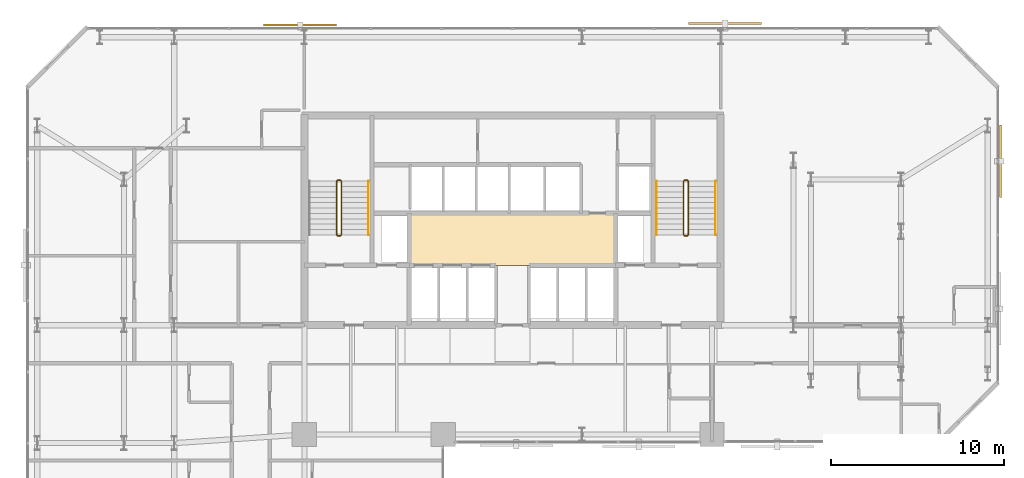
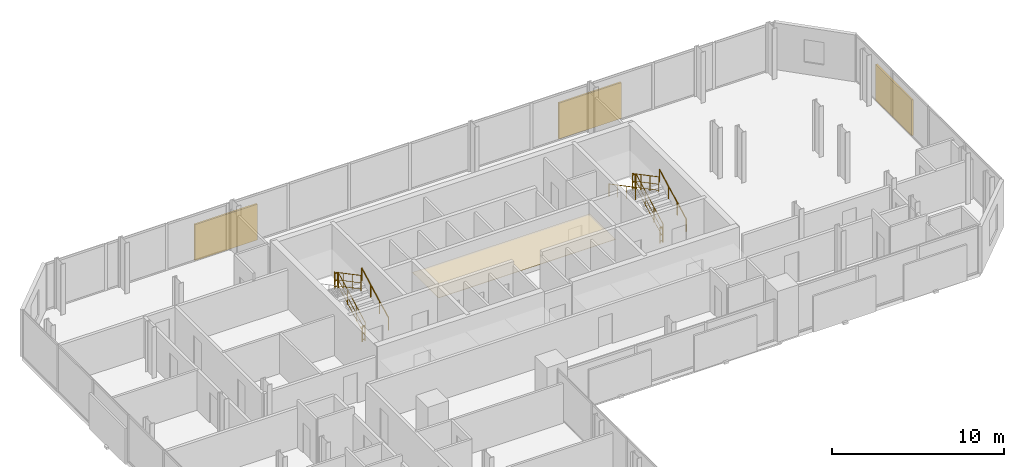
# One storey, part 32 of 32: 11 railings, 3 shading devices, 1 covering.
"""IFC4 building model written with IfcOpenShell, lengths in metres."""

import ifcopenshell
import ifcopenshell.guid

model = None  # the IFC model being written
_history = None  # IfcOwnerHistory: only IFC2X3 demands one
_inside = {}  # id of a spatial element -> (the spatial element, [elements in it])
_under = {}  # id of a project, library or spatial element -> (it, [spatial elements below it])
_declared = {}  # id of a project -> (the project, [libraries it declares])
_typed = {}  # id of a type object -> (the type object, [elements of that type])
_made_of = {}  # id of a material, layer set ... -> (it, [elements and type objects made of it])


def new_model(schema):
    """Start an empty IFC model of exactly this schema.

    Asked for "IFC4X3", IfcOpenShell would pick the latest addendum, in which some entities
    have other attributes; the version numbers below select the first issue.
    IFC2X3 requires an IfcOwnerHistory on every rooted entity: one is made here for all.
    """
    global model, _history
    if schema == "IFC4X3":
        model = ifcopenshell.file(schema_version=(4, 3, 0, 0))
    else:
        model = ifcopenshell.file(schema=schema)
    _inside.clear()
    _under.clear()
    _declared.clear()
    _typed.clear()
    _made_of.clear()
    _history = None
    if model.schema == "IFC2X3":
        org = make("IfcOrganization", Name="unknown")
        user = make(
            "IfcPersonAndOrganization",
            ThePerson=make("IfcPerson", FamilyName="unknown"),
            TheOrganization=org,
        )
        app = make(
            "IfcApplication",
            ApplicationDeveloper=org,
            Version="unknown",
            ApplicationFullName="unknown",
            ApplicationIdentifier="unknown",
        )
        _history = make(
            "IfcOwnerHistory",
            OwningUser=user,
            OwningApplication=app,
            ChangeAction="ADDED",
            CreationDate=0,
        )
    return model


def make(cls, **values):
    """One entity of the class cls with the attributes given. An attribute that is None is left unset."""
    return model.create_entity(
        cls, **{name: value for name, value in values.items() if value is not None}
    )


def rooted(cls, **values):
    """An entity with a GlobalId (a new one), such as an element, a storey or a relation."""
    return make(cls, GlobalId=ifcopenshell.guid.new(), OwnerHistory=_history, **values)


def si_unit(unit_type, name, prefix=None):
    """IfcSIUnit, for example si_unit("LENGTHUNIT", "METRE", prefix="MILLI")."""
    return make("IfcSIUnit", UnitType=unit_type, Prefix=prefix, Name=name)


def assignment(units):
    """IfcUnitAssignment: the units of a project."""
    return None if units is None else make("IfcUnitAssignment", Units=units)


def point(xyz):
    """IfcCartesianPoint."""
    return None if xyz is None else make("IfcCartesianPoint", Coordinates=xyz)


def direction(xyz):
    """IfcDirection."""
    return None if xyz is None else make("IfcDirection", DirectionRatios=xyz)


def frame(location, z_axis=None, x_axis=None):
    """IfcAxis2Placement3D, a coordinate frame: its origin and axes. An axis left out is left unset."""
    return make(
        "IfcAxis2Placement3D",
        Location=point(location),
        Axis=direction(z_axis),
        RefDirection=direction(x_axis),
    )


def frame_2d(location, x_axis=None):
    """IfcAxis2Placement2D, a coordinate frame in the plane: its origin and x axis."""
    return make(
        "IfcAxis2Placement2D", Location=point(location), RefDirection=direction(x_axis)
    )


def origin():
    """The frame at (0, 0, 0) with its axes left unset."""
    return frame((0.0, 0.0, 0.0))


def origin_2d():
    """The frame at (0, 0) in the plane with its x axis left unset."""
    return frame_2d((0.0, 0.0))


def place(relative_to, where):
    """IfcLocalPlacement: puts the frame where relative to a parent placement (None: the world)."""
    return make(
        "IfcLocalPlacement", PlacementRelTo=relative_to, RelativePlacement=where
    )


def context(
    kind, dimensions, precision=None, world=None, true_north=None, identifier=None
):
    """IfcGeometricRepresentationContext, for example the 3D "Model" context."""
    return make(
        "IfcGeometricRepresentationContext",
        ContextIdentifier=identifier,
        ContextType=kind,
        CoordinateSpaceDimension=dimensions,
        Precision=precision,
        WorldCoordinateSystem=world,
        TrueNorth=true_north,
    )


def subcontext(parent, identifier, kind, view, scale=None):
    """IfcGeometricRepresentationSubContext, for example "Body" below "Model"."""
    return make(
        "IfcGeometricRepresentationSubContext",
        ContextIdentifier=identifier,
        ContextType=kind,
        ParentContext=parent,
        TargetScale=scale,
        TargetView=view,
    )


def project(units=None, contexts=None):
    """IfcProject with its units and contexts."""
    return rooted(
        "IfcProject",
        Name="project",
        RepresentationContexts=contexts,
        UnitsInContext=assignment(units),
    )


def spatial(cls, under=None, at=None, **own):
    """A site, building, storey or space (cls), placed at a placement, below another one or the project."""
    s = rooted(cls, ObjectPlacement=at, **own)
    if under is not None:
        _under.setdefault(under.id(), (under, []))[1].append(s)
    return s


def polyline(points):
    """IfcPolyline through the points."""
    return make("IfcPolyline", Points=[point(p) for p in points])


def profile(cls, at=None, kind="AREA", **sizes):
    """A parametric profile (cls). Its sizes go by their IFC names, for example OverallWidth=200.0."""
    return make(cls, ProfileType=kind, Position=at, **sizes)


def rectangle(**sizes):
    """IfcRectangleProfileDef."""
    return profile("IfcRectangleProfileDef", **sizes)


def circle(**sizes):
    """IfcCircleProfileDef."""
    return profile("IfcCircleProfileDef", **sizes)


def outline(outer, holes=None, kind="AREA"):
    """IfcArbitraryClosedProfileDef: a profile drawn as a closed curve; with holes, ...WithVoids."""
    if holes is None:
        return make("IfcArbitraryClosedProfileDef", ProfileType=kind, OuterCurve=outer)
    return make(
        "IfcArbitraryProfileDefWithVoids",
        ProfileType=kind,
        OuterCurve=outer,
        InnerCurves=holes,
    )


def extrude(swept, where, along, depth):
    """IfcExtrudedAreaSolid: the profile swept, set in the frame where, extruded along a direction by depth."""
    return make(
        "IfcExtrudedAreaSolid",
        SweptArea=swept,
        Position=where,
        ExtrudedDirection=direction(along),
        Depth=depth,
    )


def shape(context_of_items, identifier, shape_type, items):
    """IfcShapeRepresentation: the items that make up one representation, for example the "Body"."""
    return make(
        "IfcShapeRepresentation",
        ContextOfItems=context_of_items,
        RepresentationIdentifier=identifier,
        RepresentationType=shape_type,
        Items=items,
    )


def material(Name=None, Category=None):
    """IfcMaterial."""
    return make("IfcMaterial", Name=Name, Category=Category)


def layer(
    of_material, thickness, ventilated=None, Name=None, Category=None, Priority=None
):
    """IfcMaterialLayer: one layer of a wall or slab, of a material (None: an air gap)."""
    return make(
        "IfcMaterialLayer",
        Material=of_material,
        LayerThickness=thickness,
        IsVentilated=ventilated,
        Name=Name,
        Category=Category,
        Priority=Priority,
    )


def layer_set(layers, Name=None):
    """IfcMaterialLayerSet."""
    return make("IfcMaterialLayerSet", MaterialLayers=layers, LayerSetName=Name)


def made_of(thing, what):
    """Note that an element or type object is made of a material, layer set ...; save() writes the relation."""
    if what is not None:
        _made_of.setdefault(what.id(), (what, []))[1].append(thing)
    return thing


def type_object(cls, material=None, **own):
    """A type object (cls), such as IfcWallType, which elements share."""
    return made_of(rooted(cls, **own), material)


def element(
    cls,
    number,
    at=None,
    inside=None,
    cuts=None,
    type_object=None,
    material=None,
    context=None,
    identifier="Body",
    shape_type=None,
    held_by="IfcProductDefinitionShape",
    body=None,
    shapes=None,
    **own,
):
    """One element of the class cls, such as IfcWall. Its Tag is "e" and its number.

    at: its placement. inside: the storey or other place that contains it. cuts: it is an
    opening in that element (IfcRelVoidsElement). A single representation is given by context,
    identifier, shape_type and body (its items); several are given by shapes. held_by: the class
    of the entity that holds the representations. save() writes the other relations.
    """
    e = rooted(cls, Tag="e%d" % number, ObjectPlacement=at, **own)
    if body is not None:
        shapes = [shape(context, identifier, shape_type, body)]
    if shapes is not None:
        e.Representation = make(held_by, Representations=shapes)
    if inside is not None:
        _inside.setdefault(inside.id(), (inside, []))[1].append(e)
    if cuts is not None:
        rooted(
            "IfcRelVoidsElement", RelatingBuildingElement=cuts, RelatedOpeningElement=e
        )
    if type_object is not None:
        _typed.setdefault(type_object.id(), (type_object, []))[1].append(e)
    return made_of(e, material)


def aggregate(whole, parts):
    """IfcRelAggregates: a whole, such as a stair, and the parts it consists of."""
    return rooted("IfcRelAggregates", RelatingObject=whole, RelatedObjects=parts)


def save(model, path):
    """Write the relations noted so far, then the file.

    IfcRelAggregates (storeys below a building ...), IfcRelContainedInSpatialStructure (elements
    in a storey), IfcRelDefinesByType, IfcRelAssociatesMaterial and IfcRelDeclares: one each for
    every whole, place, type object, material and project.
    """
    for whole, parts in _under.values():
        aggregate(whole, parts)
    for where, things in _inside.values():
        rooted(
            "IfcRelContainedInSpatialStructure",
            RelatedElements=things,
            RelatingStructure=where,
        )
    for kind, things in _typed.values():
        rooted("IfcRelDefinesByType", RelatedObjects=things, RelatingType=kind)
    for what, things in _made_of.values():
        rooted("IfcRelAssociatesMaterial", RelatedObjects=things, RelatingMaterial=what)
    for by, libraries in _declared.values():
        rooted("IfcRelDeclares", RelatingContext=by, RelatedDefinitions=libraries)
    model.write(path)


model = new_model("IFC4")

# Units and contexts
model_context = context("Model", 3, precision=1e-05, world=origin(), true_north=direction((0.0, 1.0)))
body_context = subcontext(model_context, "Body", "Model", "MODEL_VIEW")
ifc_project = project(units=[si_unit("LENGTHUNIT", "METRE"), si_unit("AREAUNIT", "SQUARE_METRE"), si_unit("VOLUMEUNIT", "CUBIC_METRE"), si_unit("PLANEANGLEUNIT", "RADIAN"), si_unit("MASSUNIT", "GRAM", prefix="KILO")], contexts=[model_context])

# Site, building, storey
site_placement = place(None, origin())
site = spatial("IfcSite", under=ifc_project, at=site_placement, CompositionType="ELEMENT")
building_placement = place(site_placement, origin())
building = spatial("IfcBuilding", under=site, at=building_placement, Name="Catumbela Crestline Tower", CompositionType="ELEMENT")
storey_placement = place(building_placement, frame((0.0, 0.0, 69.0)))
storey = spatial("IfcBuildingStorey", under=building, at=storey_placement, Name="L17", CompositionType="ELEMENT", Elevation=69.0)

# Covering
ifc_material_1 = material(Name="Mineral-fibre acoustic ceiling")
ifc_layer = layer(ifc_material_1, 0.03, Name="Mineral-fibre acoustic ceiling")
ifc_layer_set = layer_set([ifc_layer], Name="Mineral-fibre acoustic ceiling")
covering_type = type_object("IfcCoveringType", Name="CC-AC", PredefinedType="CEILING", material=ifc_layer_set)
covering_placement = place(storey_placement, frame((0.0, 0.0, 2.65)))
element("IfcCovering", 1, at=covering_placement, inside=storey, type_object=covering_type, Name="L17 Lift Lobby Acoustic Ceiling", PredefinedType="CEILING", context=body_context, shape_type="SweptSolid", body=[
    extrude(outline(polyline([(22.05, 34.25), (33.95, 34.25), (33.95, 37.25), (22.05, 37.25), (22.05, 34.25)])), origin(), (0.0, 0.0, 1.0), 0.03),
])

# Railings
ifc_material_2 = material(Name="Stainless steel EN 1.4401", Category="steel")
railing_type_1 = type_object("IfcRailingType", Name="RG-1100", PredefinedType="GUARDRAIL", material=ifc_material_2)
railing_1_placement = place(storey_placement, frame((18.14, 36.0, 0.1636)))
element("IfcRailing", 2, at=railing_1_placement, inside=storey, type_object=railing_type_1, Name="L17 ST-01 stair guard 1", PredefinedType="GUARDRAIL", context=body_context, shape_type="SweptSolid", body=[
    extrude(circle(Radius=0.024, at=origin_2d()), frame((0.0, 0.0, 1.076), z_axis=(0.0, 0.884350731049, 0.466823076222), x_axis=(-1.0, 0.0, 0.0)), (0.0, 0.0, 1.0), 3.5054),
    extrude(circle(Radius=0.0156, at=origin_2d()), frame((0.0, 0.0, 0.55), z_axis=(0.0, 0.884350731049, 0.466823076222), x_axis=(-1.0, 0.0, 0.0)), (0.0, 0.0, 1.0), 3.5054),
    extrude(circle(Radius=0.0156, at=origin_2d()), frame((0.0, 0.0, 0.12), z_axis=(0.0, 0.884350731049, 0.466823076222), x_axis=(-1.0, 0.0, 0.0)), (0.0, 0.0, 1.0), 3.5054),
    extrude(circle(Radius=0.021, at=origin_2d()), origin(), (0.0, 0.0, 1.0), 1.052),
    extrude(circle(Radius=0.021, at=origin_2d()), frame((0.0, 1.0333, 0.5455)), (0.0, 0.0, 1.0), 1.052),
    extrude(circle(Radius=0.021, at=origin_2d()), frame((0.0, 2.0667, 1.0909)), (0.0, 0.0, 1.0), 1.052),
    extrude(circle(Radius=0.021, at=origin_2d()), frame((0.0, 3.1, 1.6364)), (0.0, 0.0, 1.0), 1.052),
])
railing_2_placement = place(storey_placement, frame((18.09, 39.15, 1.8)))
element("IfcRailing", 3, at=railing_2_placement, inside=storey, type_object=railing_type_1, Name="L17 ST-01 stair guard 2", PredefinedType="GUARDRAIL", context=body_context, shape_type="SweptSolid", body=[
    extrude(circle(Radius=0.024, at=origin_2d()), frame((0.0, 0.0, 1.076), z_axis=(-1.0, 0.0, 0.0), x_axis=(0.0, -1.0, 0.0)), (0.0, 0.0, 1.0), 0.18),
    extrude(circle(Radius=0.0156, at=origin_2d()), frame((0.0, 0.0, 0.55), z_axis=(-1.0, 0.0, 0.0), x_axis=(0.0, -1.0, 0.0)), (0.0, 0.0, 1.0), 0.18),
    extrude(circle(Radius=0.0156, at=origin_2d()), frame((0.0, 0.0, 0.12), z_axis=(-1.0, 0.0, 0.0), x_axis=(0.0, -1.0, 0.0)), (0.0, 0.0, 1.0), 0.18),
    extrude(circle(Radius=0.021, at=origin_2d()), origin(), (0.0, 0.0, 1.0), 1.052),
    extrude(circle(Radius=0.021, at=origin_2d()), frame((-0.18, 0.0, 0.0)), (0.0, 0.0, 1.0), 1.052),
])
railing_3_placement = place(storey_placement, frame((17.86, 39.1, 1.9636)))
element("IfcRailing", 4, at=railing_3_placement, inside=storey, type_object=railing_type_1, Name="L17 ST-01 stair guard 3", PredefinedType="GUARDRAIL", context=body_context, shape_type="SweptSolid", body=[
    extrude(circle(Radius=0.024, at=origin_2d()), frame((0.0, 0.0, 1.076), z_axis=(0.0, -0.884350731049, 0.466823076222), x_axis=(1.0, 0.0, 0.0)), (0.0, 0.0, 1.0), 3.5054),
    extrude(circle(Radius=0.0156, at=origin_2d()), frame((0.0, 0.0, 0.55), z_axis=(0.0, -0.884350731049, 0.466823076222), x_axis=(1.0, 0.0, 0.0)), (0.0, 0.0, 1.0), 3.5054),
    extrude(circle(Radius=0.0156, at=origin_2d()), frame((0.0, 0.0, 0.12), z_axis=(0.0, -0.884350731049, 0.466823076222), x_axis=(1.0, 0.0, 0.0)), (0.0, 0.0, 1.0), 3.5054),
    extrude(circle(Radius=0.021, at=origin_2d()), origin(), (0.0, 0.0, 1.0), 1.052),
    extrude(circle(Radius=0.021, at=origin_2d()), frame((0.0, -1.0333, 0.5455)), (0.0, 0.0, 1.0), 1.052),
    extrude(circle(Radius=0.021, at=origin_2d()), frame((0.0, -2.0667, 1.0909)), (0.0, 0.0, 1.0), 1.052),
    extrude(circle(Radius=0.021, at=origin_2d()), frame((0.0, -3.1, 1.6364)), (0.0, 0.0, 1.0), 1.052),
])
railing_4_placement = place(storey_placement, frame((18.09, 35.95, 0.0)))
element("IfcRailing", 5, at=railing_4_placement, inside=storey, type_object=railing_type_1, Name="L17 ST-01 stair guard 4", PredefinedType="GUARDRAIL", context=body_context, shape_type="SweptSolid", body=[
    extrude(circle(Radius=0.024, at=origin_2d()), frame((0.0, 0.0, 1.076), z_axis=(-1.0, 0.0, 0.0), x_axis=(0.0, -1.0, 0.0)), (0.0, 0.0, 1.0), 0.18),
    extrude(circle(Radius=0.0156, at=origin_2d()), frame((0.0, 0.0, 0.55), z_axis=(-1.0, 0.0, 0.0), x_axis=(0.0, -1.0, 0.0)), (0.0, 0.0, 1.0), 0.18),
    extrude(circle(Radius=0.0156, at=origin_2d()), frame((0.0, 0.0, 0.12), z_axis=(-1.0, 0.0, 0.0), x_axis=(0.0, -1.0, 0.0)), (0.0, 0.0, 1.0), 0.18),
    extrude(circle(Radius=0.021, at=origin_2d()), origin(), (0.0, 0.0, 1.0), 1.052),
    extrude(circle(Radius=0.021, at=origin_2d()), frame((-0.18, 0.0, 0.0)), (0.0, 0.0, 1.0), 1.052),
])
railing_5_placement = place(storey_placement, frame((38.14, 36.0, 0.1636)))
element("IfcRailing", 6, at=railing_5_placement, inside=storey, type_object=railing_type_1, Name="L17 ST-02 stair guard 1", PredefinedType="GUARDRAIL", context=body_context, shape_type="SweptSolid", body=[
    extrude(circle(Radius=0.024, at=origin_2d()), frame((0.0, 0.0, 1.076), z_axis=(0.0, 0.884350731049, 0.466823076222), x_axis=(-1.0, 0.0, 0.0)), (0.0, 0.0, 1.0), 3.5054),
    extrude(circle(Radius=0.0156, at=origin_2d()), frame((0.0, 0.0, 0.55), z_axis=(0.0, 0.884350731049, 0.466823076222), x_axis=(-1.0, 0.0, 0.0)), (0.0, 0.0, 1.0), 3.5054),
    extrude(circle(Radius=0.0156, at=origin_2d()), frame((0.0, 0.0, 0.12), z_axis=(0.0, 0.884350731049, 0.466823076222), x_axis=(-1.0, 0.0, 0.0)), (0.0, 0.0, 1.0), 3.5054),
    extrude(circle(Radius=0.021, at=origin_2d()), origin(), (0.0, 0.0, 1.0), 1.052),
    extrude(circle(Radius=0.021, at=origin_2d()), frame((0.0, 1.0333, 0.5455)), (0.0, 0.0, 1.0), 1.052),
    extrude(circle(Radius=0.021, at=origin_2d()), frame((0.0, 2.0667, 1.0909)), (0.0, 0.0, 1.0), 1.052),
    extrude(circle(Radius=0.021, at=origin_2d()), frame((0.0, 3.1, 1.6364)), (0.0, 0.0, 1.0), 1.052),
])
railing_6_placement = place(storey_placement, frame((38.09, 39.15, 1.8)))
element("IfcRailing", 7, at=railing_6_placement, inside=storey, type_object=railing_type_1, Name="L17 ST-02 stair guard 2", PredefinedType="GUARDRAIL", context=body_context, shape_type="SweptSolid", body=[
    extrude(circle(Radius=0.024, at=origin_2d()), frame((0.0, 0.0, 1.076), z_axis=(-1.0, 0.0, 0.0), x_axis=(0.0, -1.0, 0.0)), (0.0, 0.0, 1.0), 0.18),
    extrude(circle(Radius=0.0156, at=origin_2d()), frame((0.0, 0.0, 0.55), z_axis=(-1.0, 0.0, 0.0), x_axis=(0.0, -1.0, 0.0)), (0.0, 0.0, 1.0), 0.18),
    extrude(circle(Radius=0.0156, at=origin_2d()), frame((0.0, 0.0, 0.12), z_axis=(-1.0, 0.0, 0.0), x_axis=(0.0, -1.0, 0.0)), (0.0, 0.0, 1.0), 0.18),
    extrude(circle(Radius=0.021, at=origin_2d()), origin(), (0.0, 0.0, 1.0), 1.052),
    extrude(circle(Radius=0.021, at=origin_2d()), frame((-0.18, 0.0, 0.0)), (0.0, 0.0, 1.0), 1.052),
])
railing_7_placement = place(storey_placement, frame((37.86, 39.1, 1.9636)))
element("IfcRailing", 8, at=railing_7_placement, inside=storey, type_object=railing_type_1, Name="L17 ST-02 stair guard 3", PredefinedType="GUARDRAIL", context=body_context, shape_type="SweptSolid", body=[
    extrude(circle(Radius=0.024, at=origin_2d()), frame((0.0, 0.0, 1.076), z_axis=(0.0, -0.884350731049, 0.466823076222), x_axis=(1.0, 0.0, 0.0)), (0.0, 0.0, 1.0), 3.5054),
    extrude(circle(Radius=0.0156, at=origin_2d()), frame((0.0, 0.0, 0.55), z_axis=(0.0, -0.884350731049, 0.466823076222), x_axis=(1.0, 0.0, 0.0)), (0.0, 0.0, 1.0), 3.5054),
    extrude(circle(Radius=0.0156, at=origin_2d()), frame((0.0, 0.0, 0.12), z_axis=(0.0, -0.884350731049, 0.466823076222), x_axis=(1.0, 0.0, 0.0)), (0.0, 0.0, 1.0), 3.5054),
    extrude(circle(Radius=0.021, at=origin_2d()), origin(), (0.0, 0.0, 1.0), 1.052),
    extrude(circle(Radius=0.021, at=origin_2d()), frame((0.0, -1.0333, 0.5455)), (0.0, 0.0, 1.0), 1.052),
    extrude(circle(Radius=0.021, at=origin_2d()), frame((0.0, -2.0667, 1.0909)), (0.0, 0.0, 1.0), 1.052),
    extrude(circle(Radius=0.021, at=origin_2d()), frame((0.0, -3.1, 1.6364)), (0.0, 0.0, 1.0), 1.052),
])
railing_8_placement = place(storey_placement, frame((38.09, 35.95, 0.0)))
element("IfcRailing", 9, at=railing_8_placement, inside=storey, type_object=railing_type_1, Name="L17 ST-02 stair guard 4", PredefinedType="GUARDRAIL", context=body_context, shape_type="SweptSolid", body=[
    extrude(circle(Radius=0.024, at=origin_2d()), frame((0.0, 0.0, 1.076), z_axis=(-1.0, 0.0, 0.0), x_axis=(0.0, -1.0, 0.0)), (0.0, 0.0, 1.0), 0.18),
    extrude(circle(Radius=0.0156, at=origin_2d()), frame((0.0, 0.0, 0.55), z_axis=(-1.0, 0.0, 0.0), x_axis=(0.0, -1.0, 0.0)), (0.0, 0.0, 1.0), 0.18),
    extrude(circle(Radius=0.0156, at=origin_2d()), frame((0.0, 0.0, 0.12), z_axis=(-1.0, 0.0, 0.0), x_axis=(0.0, -1.0, 0.0)), (0.0, 0.0, 1.0), 0.18),
    extrude(circle(Radius=0.021, at=origin_2d()), origin(), (0.0, 0.0, 1.0), 1.052),
    extrude(circle(Radius=0.021, at=origin_2d()), frame((-0.18, 0.0, 0.0)), (0.0, 0.0, 1.0), 1.052),
])
railing_type_2 = type_object("IfcRailingType", Name="RH-0900", PredefinedType="HANDRAIL", material=ifc_material_2)
for number, where, name in (
    (10, (19.7, 36.0, 0.1636), "L17 ST-01 stair handrail 1"),
    (11, (39.7, 36.0, 0.1636), "L17 ST-02 stair handrail 1"),
):
    element("IfcRailing", number, at=place(storey_placement, frame(where)), inside=storey, type_object=railing_type_2, Name=name, PredefinedType="HANDRAIL", context=body_context, shape_type="SweptSolid", body=[
        extrude(circle(Radius=0.024, at=origin_2d()), frame((0.0, 0.0, 0.876), z_axis=(0.0, 0.884350731049, 0.466823076222), x_axis=(-1.0, 0.0, 0.0)), (0.0, 0.0, 1.0), 3.5054),
        extrude(circle(Radius=0.021, at=origin_2d()), origin(), (0.0, 0.0, 1.0), 0.852),
        extrude(circle(Radius=0.021, at=origin_2d()), frame((0.0, 1.0333, 0.5455)), (0.0, 0.0, 1.0), 0.852),
        extrude(circle(Radius=0.021, at=origin_2d()), frame((0.0, 2.0667, 1.0909)), (0.0, 0.0, 1.0), 0.852),
        extrude(circle(Radius=0.021, at=origin_2d()), frame((0.0, 3.1, 1.6364)), (0.0, 0.0, 1.0), 0.852),
    ])
railing_9_placement = place(storey_placement, frame((36.3, 39.1, 1.9636)))
element("IfcRailing", 12, at=railing_9_placement, inside=storey, type_object=railing_type_2, Name="L17 ST-02 stair handrail 2", PredefinedType="HANDRAIL", context=body_context, shape_type="SweptSolid", body=[
    extrude(circle(Radius=0.024, at=origin_2d()), frame((0.0, 0.0, 0.876), z_axis=(0.0, -0.884350731049, 0.466823076222), x_axis=(1.0, 0.0, 0.0)), (0.0, 0.0, 1.0), 3.5054),
    extrude(circle(Radius=0.021, at=origin_2d()), origin(), (0.0, 0.0, 1.0), 0.852),
    extrude(circle(Radius=0.021, at=origin_2d()), frame((0.0, -1.0333, 0.5455)), (0.0, 0.0, 1.0), 0.852),
    extrude(circle(Radius=0.021, at=origin_2d()), frame((0.0, -2.0667, 1.0909)), (0.0, 0.0, 1.0), 0.852),
    extrude(circle(Radius=0.021, at=origin_2d()), frame((0.0, -3.1, 1.6364)), (0.0, 0.0, 1.0), 0.852),
])

# Shading devices
ifc_material_3 = material(Name="Extruded terracotta ceramic", Category="masonry")
shading_device_type_1 = type_object("IfcShadingDeviceType", Name="ST-180", PredefinedType="USERDEFINED", material=ifc_material_3)
shading_device_1_placement = place(storey_placement, frame((15.75, 48.099, -0.1), z_axis=(0.0, 0.0, 1.0), x_axis=(-1.0, 0.0, 0.0)))
element("IfcShadingDevice", 13, at=shading_device_1_placement, inside=storey, type_object=shading_device_type_1, Name="L17 Perforated Terracotta Solar Screen 180 (180 mm)", ObjectType="SCREEN", PredefinedType="USERDEFINED", context=body_context, shape_type="SweptSolid", body=[
    extrude(rectangle(XDim=4.2, YDim=0.12, at=origin_2d()), origin(), (0.0, 0.0, 1.0), 2.55),
])
shading_device_type_2 = type_object("IfcShadingDeviceType", Name="ST-260", PredefinedType="USERDEFINED", material=ifc_material_3)
shading_device_2_placement = place(storey_placement, frame((56.143, 40.25, -0.1), z_axis=(0.0, 0.0, 1.0), x_axis=(0.0, 1.0, 0.0)))
element("IfcShadingDevice", 14, at=shading_device_2_placement, inside=storey, type_object=shading_device_type_2, Name="L17 Perforated Terracotta Solar Screen 178 (260 mm)", ObjectType="SCREEN", PredefinedType="USERDEFINED", context=body_context, shape_type="SweptSolid", body=[
    extrude(rectangle(XDim=4.2, YDim=0.12, at=origin_2d()), origin(), (0.0, 0.0, 1.0), 2.55),
])
shading_device_type_3 = type_object("IfcShadingDeviceType", Name="ST-340", PredefinedType="USERDEFINED", material=ifc_material_3)
shading_device_3_placement = place(storey_placement, frame((40.25, 48.187, -0.1), z_axis=(0.0, 0.0, 1.0), x_axis=(-1.0, 0.0, 0.0)))
element("IfcShadingDevice", 15, at=shading_device_3_placement, inside=storey, type_object=shading_device_type_3, Name="L17 Perforated Terracotta Solar Screen 179 (340 mm)", ObjectType="SCREEN", PredefinedType="USERDEFINED", context=body_context, shape_type="SweptSolid", body=[
    extrude(rectangle(XDim=4.2, YDim=0.12, at=origin_2d()), origin(), (0.0, 0.0, 1.0), 2.55),
])

save(model, "model.ifc")
